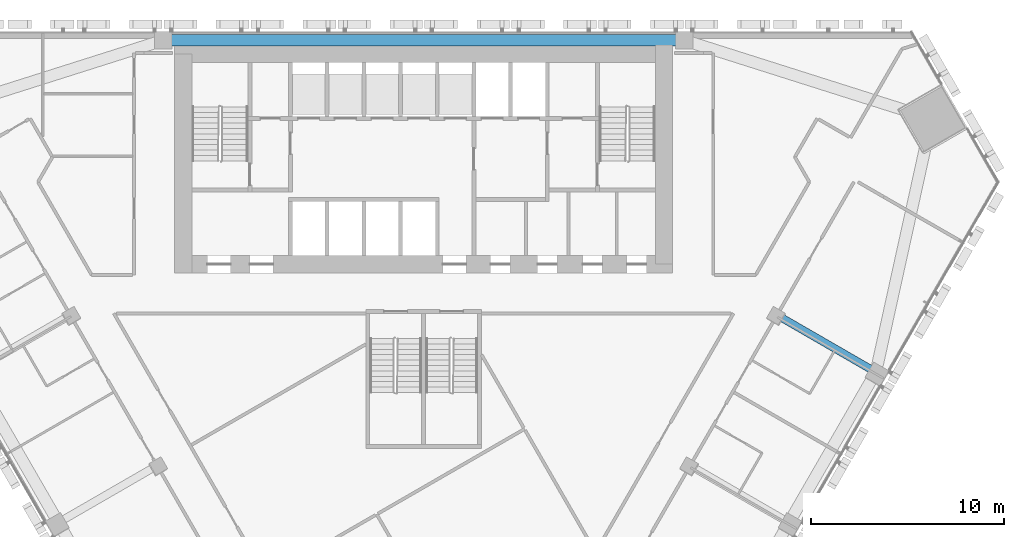
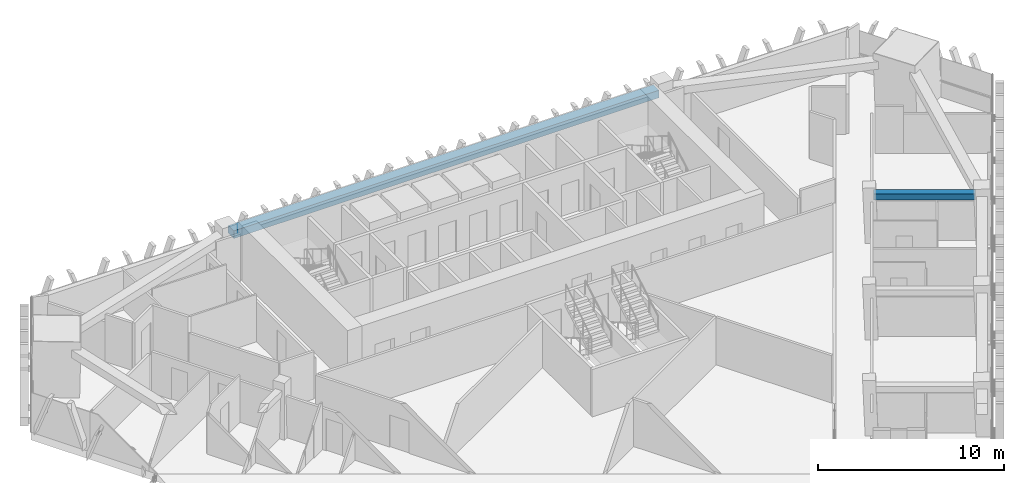
# One storey, part 6 of 16: 2 beams.
"""IFC4 building model written with IfcOpenShell, lengths in metres."""

from ifc_helpers import new_model, si_unit, direction, frame, origin, origin_2d, place, context, subcontext, project, spatial, rectangle, extrude, material, material_profile, profile_set, type_object, element, save


model = new_model("IFC4")

# Units and contexts
model_context = context("Model", 3, precision=1e-05, world=origin(), true_north=direction((0.0, 1.0)))
body_context = subcontext(model_context, "Body", "Model", "MODEL_VIEW")
ifc_project = project(units=[si_unit("LENGTHUNIT", "METRE"), si_unit("AREAUNIT", "SQUARE_METRE"), si_unit("VOLUMEUNIT", "CUBIC_METRE"), si_unit("PLANEANGLEUNIT", "RADIAN"), si_unit("MASSUNIT", "GRAM", prefix="KILO")], contexts=[model_context])

# Site, building, storey
site_placement = place(None, origin())
site = spatial("IfcSite", under=ifc_project, at=site_placement, CompositionType="ELEMENT")
building_placement = place(site_placement, origin())
building = spatial("IfcBuilding", under=site, at=building_placement, Name="Altiplano Prism Tower", CompositionType="ELEMENT")
storey_placement = place(building_placement, frame((0.0, 0.0, 73.800048828125)))
storey = spatial("IfcBuildingStorey", under=building, at=storey_placement, Name="L18", CompositionType="ELEMENT", Elevation=73.800048828125)

# Beams
ifc_material = material(Name="Concrete C60/75", Category="concrete")
ifc_material_profile_1 = material_profile(ifc_material, rectangle(XDim=0.60009765625, YDim=0.5, at=origin_2d()), Name="Edge beam 600x500")
ifc_profile_set_1 = profile_set([ifc_material_profile_1], Name="Concrete C60/75")
beam_type_1 = type_object("IfcBeamType", Name="Edge beam 600x500", PredefinedType="SPANDREL", material=ifc_profile_set_1)
beam_1_placement = place(storey_placement, frame((98.169921875, 104.550048828125, 2.849853515625), z_axis=(-1.0, 0.0, 0.0), x_axis=(0.0, -1.0, 0.0)))
element("IfcBeam", 1, at=beam_1_placement, inside=storey, type_object=beam_type_1, Name="Edge beam P01-P04 L19", PredefinedType="SPANDREL", context=body_context, shape_type="SweptSolid", body=[
    extrude(rectangle(XDim=0.60009765625, YDim=0.5, at=origin_2d()), origin(), (0.0, 0.0, 1.0), 26.33984375),
])
ifc_material_profile_2 = material_profile(ifc_material, rectangle(XDim=0.39990234375, YDim=0.39990234375, at=origin_2d()), Name="Tie beam 400x400")
ifc_profile_set_2 = profile_set([ifc_material_profile_2], Name="Concrete C60/75")
beam_type_2 = type_object("IfcBeamType", Name="Tie beam 400x400", PredefinedType="BEAM", material=ifc_profile_set_2)
beam_2_placement = place(storey_placement, frame((103.38671875, 90.265869140625, 2.89990234375), z_axis=(0.866031549307, -0.499989355492, 0.0), x_axis=(0.499989355492, 0.866031549307, 0.0)))
element("IfcBeam", 2, at=beam_2_placement, inside=storey, type_object=beam_type_2, Name="Tie beam I24 L19", PredefinedType="BEAM", context=body_context, shape_type="SweptSolid", body=[
    extrude(rectangle(XDim=0.39990234375, YDim=0.39990234375, at=origin_2d()), origin(), (0.0, 0.0, 1.0), 5.48974609375),
])

save(model, "model.ifc")
